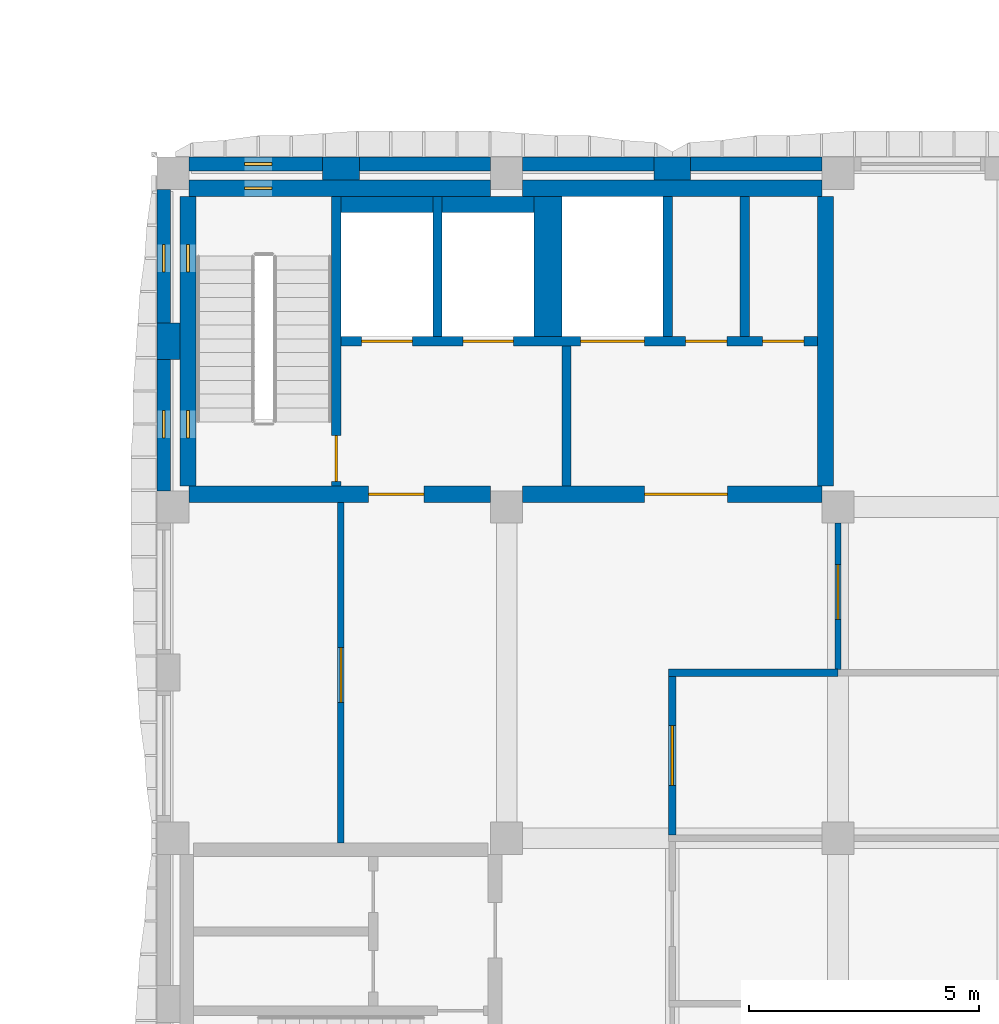
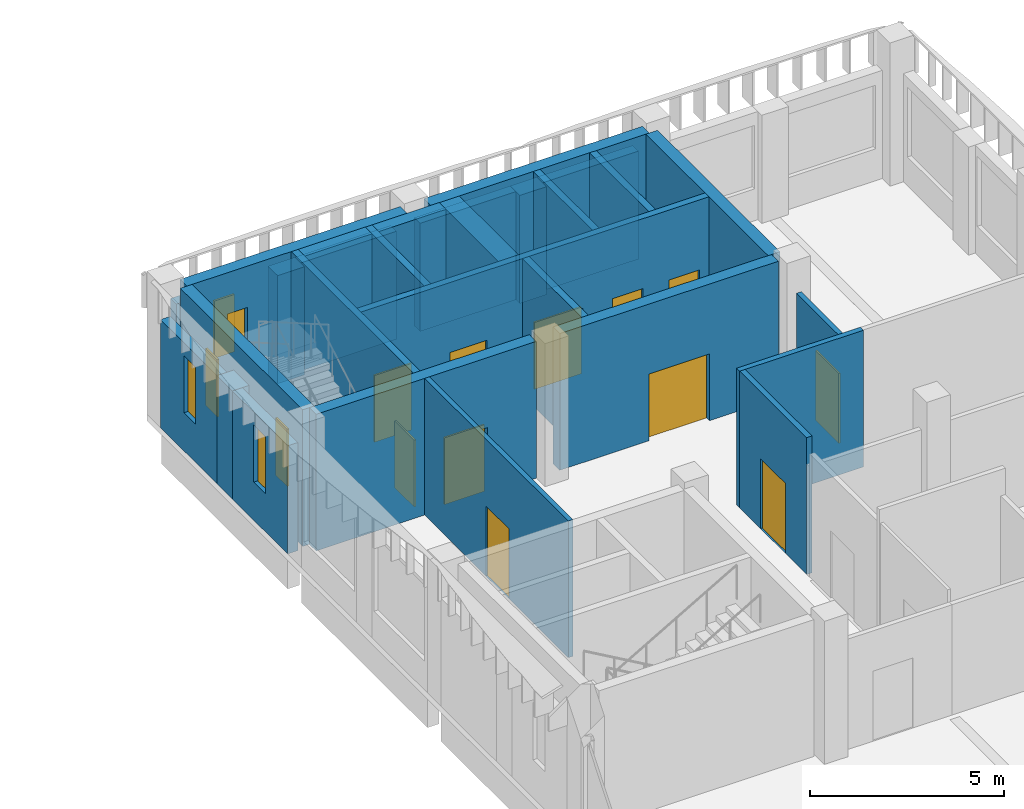
# One storey, part 11 of 38: 28 walls, 11 doors, 6 windows, 17 openings.
"""IFC4 building model written with IfcOpenShell, lengths in metres."""

from ifc_helpers import new_model, si_unit, direction, frame, frame_2d, origin, place, context, subcontext, project, spatial, rectangle, extrude, material, layer, layer_set, type_object, element, fill, save


model = new_model("IFC4")

# Units and contexts
model_context = context("Model", 3, precision=1e-05, world=origin(), true_north=direction((0.0, 1.0)))
body_context = subcontext(model_context, "Body", "Model", "MODEL_VIEW")
ifc_project = project(units=[si_unit("LENGTHUNIT", "METRE"), si_unit("AREAUNIT", "SQUARE_METRE"), si_unit("VOLUMEUNIT", "CUBIC_METRE"), si_unit("PLANEANGLEUNIT", "RADIAN"), si_unit("MASSUNIT", "GRAM", prefix="KILO")], contexts=[model_context])

# Site, building, storey
site_placement = place(None, origin())
site = spatial("IfcSite", under=ifc_project, at=site_placement, CompositionType="ELEMENT")
building_placement = place(site_placement, origin())
building = spatial("IfcBuilding", under=site, at=building_placement, Name="Ussher Court Research Institute", CompositionType="ELEMENT")
storey_placement = place(building_placement, frame((0.0, 0.0, 23.39990234375)))
storey = spatial("IfcBuildingStorey", under=building, at=storey_placement, Name="L05", CompositionType="ELEMENT", Elevation=23.39990234375)

# Wall, opening, window
ifc_material_1 = material(Name="Limestone facing on blockwork", Category="masonry")
ifc_layer_1 = layer(ifc_material_1, 0.300048828125)
ifc_layer_set_1 = layer_set([ifc_layer_1], Name="Limestone facing on blockwork")
wall_type_1 = type_object("IfcWallType", Name="External wall 300 stair enclosure", PredefinedType="SOLIDWALL", material=ifc_layer_set_1)
wall_1_placement = place(storey_placement, frame((82.5, 33.050048828125, 0.0), z_axis=(0.0, 0.0, 1.0), x_axis=(1.0, 0.0, 0.0)))
wall_1 = element("IfcWall", 1, at=wall_1_placement, inside=storey, type_object=wall_type_1, Name="External wall EW5 L05", PredefinedType="SOLIDWALL", context=body_context, shape_type="SweptSolid", body=[
    extrude(rectangle(XDim=2.89990234375, YDim=0.300048828125, at=frame_2d((1.449951171875, 0.0))), origin(), (0.0, 0.0, 1.0), 3.400146484375),
])
opening_1_placement = place(wall_1_placement, frame((1.199951171875, 0.0, 1.199951171875)))
opening_1 = element("IfcOpeningElement", 2, at=opening_1_placement, cuts=wall_1, Name="Opening W25", PredefinedType="OPENING", context=body_context, shape_type="SweptSolid", body=[
    extrude(rectangle(XDim=0.60009765625, YDim=1.800048828125, at=frame_2d((0.300048828125, 0.89990234375))), frame((0.0, 0.16015625, 0.0), z_axis=(0.0, -1.0, 0.0), x_axis=(1.0, 0.0, 0.0)), (0.0, 0.0, 1.0), 0.320068359375),
])
ifc_material_2 = material(Name="Bronze anodised aluminium with double glazing", Category="aluminium")
window_type = type_object("IfcWindowType", Name="Stair light slot window 600x1800 fire-resisting glazing", PartitioningType="SINGLE_PANEL", PredefinedType="WINDOW", material=ifc_material_2)
window_1_placement = place(opening_1_placement, origin())
window_1 = element("IfcWindow", 3, at=window_1_placement, inside=storey, type_object=window_type, Name="Window W25 L05", OverallHeight=1.800048828125, OverallWidth=0.60009765625, PartitioningType="SINGLE_PANEL", PredefinedType="WINDOW", context=body_context, shape_type="SweptSolid", body=[
    extrude(rectangle(XDim=0.60009765625, YDim=1.800048828125, at=frame_2d((0.300048828125, 0.89990234375))), frame((0.0, 0.030029296875, 0.0), z_axis=(0.0, -1.0, 0.0), x_axis=(1.0, 0.0, 0.0)), (0.0, 0.0, 1.0), 0.06005859375),
])
fill(opening_1, window_1)

# Walls
for number, where, z_axis, x_axis, name in (
    (4, (86.199951171875, 33.050048828125, 0.0), (0.0, 0.0, 1.0), (1.0, 0.0, 0.0), "External wall EW5 L05"),
    (5, (89.75, 33.050048828125, 0.0), (0.0, 0.0, 1.0), (1.0, 0.0, 0.0), "External wall EW5 L05"),
    (6, (93.39990234375, 33.050048828125, 0.0), (0.0, 0.0, 1.0), (1.0, 0.0, 0.0), "External wall EW5 L05"),
):
    element("IfcWall", number, at=place(storey_placement, frame(where, z_axis=z_axis, x_axis=x_axis)), inside=storey, type_object=wall_type_1, Name=name, PredefinedType="SOLIDWALL", context=body_context, shape_type="SweptSolid", body=[
        extrude(rectangle(XDim=2.85009765625, YDim=0.300048828125, at=frame_2d((1.425048828125, 0.0))), origin(), (0.0, 0.0, 1.0), 3.400146484375),
    ])

# Wall, opening, window
wall_2_placement = place(storey_placement, frame((81.949951171875, 25.949951171875, 0.0), z_axis=(0.0, 0.0, 1.0), x_axis=(0.0, 1.0, 0.0)))
wall_2 = element("IfcWall", 7, at=wall_2_placement, inside=storey, type_object=wall_type_1, Name="External wall EW5 L05", PredefinedType="SOLIDWALL", context=body_context, shape_type="SweptSolid", body=[
    extrude(rectangle(XDim=2.85009765625, YDim=0.300048828125, at=frame_2d((1.425048828125, 0.0))), origin(), (0.0, 0.0, 1.0), 3.400146484375),
])
opening_2_placement = place(wall_2_placement, frame((1.14990234375, 0.0, 1.199951171875)))
opening_2 = element("IfcOpeningElement", 8, at=opening_2_placement, cuts=wall_2, Name="Opening W25", PredefinedType="OPENING", context=body_context, shape_type="SweptSolid", body=[
    extrude(rectangle(XDim=0.60009765625, YDim=1.800048828125, at=frame_2d((0.300048828125, 0.89990234375))), frame((0.0, 0.16015625, 0.0), z_axis=(0.0, -1.0, 0.0), x_axis=(1.0, 0.0, 0.0)), (0.0, 0.0, 1.0), 0.320068359375),
])
window_2_placement = place(opening_2_placement, origin())
window_2 = element("IfcWindow", 9, at=window_2_placement, inside=storey, type_object=window_type, Name="Window W25 L05", OverallHeight=1.800048828125, OverallWidth=0.60009765625, PartitioningType="SINGLE_PANEL", PredefinedType="WINDOW", context=body_context, shape_type="SweptSolid", body=[
    extrude(rectangle(XDim=0.60009765625, YDim=1.800048828125, at=frame_2d((0.300048828125, 0.89990234375))), frame((0.0, 0.030029296875, 0.0), z_axis=(0.0, -1.0, 0.0), x_axis=(1.0, 0.0, 0.0)), (0.0, 0.0, 1.0), 0.06005859375),
])
fill(opening_2, window_2)

wall_3_placement = place(storey_placement, frame((81.949951171875, 29.60009765625, 0.0), z_axis=(0.0, 0.0, 1.0), x_axis=(0.0, 1.0, 0.0)))
wall_3 = element("IfcWall", 10, at=wall_3_placement, inside=storey, type_object=wall_type_1, Name="External wall EW5 L05", PredefinedType="SOLIDWALL", context=body_context, shape_type="SweptSolid", body=[
    extrude(rectangle(XDim=2.89990234375, YDim=0.300048828125, at=frame_2d((1.449951171875, 0.0))), origin(), (0.0, 0.0, 1.0), 3.400146484375),
])
opening_3_placement = place(wall_3_placement, frame((1.10009765625, 0.0, 1.199951171875)))
opening_3 = element("IfcOpeningElement", 11, at=opening_3_placement, cuts=wall_3, Name="Opening W25", PredefinedType="OPENING", context=body_context, shape_type="SweptSolid", body=[
    extrude(rectangle(XDim=0.60009765625, YDim=1.800048828125, at=frame_2d((0.300048828125, 0.89990234375))), frame((0.0, 0.16015625, 0.0), z_axis=(0.0, -1.0, 0.0), x_axis=(1.0, 0.0, 0.0)), (0.0, 0.0, 1.0), 0.320068359375),
])
window_3_placement = place(opening_3_placement, origin())
window_3 = element("IfcWindow", 12, at=window_3_placement, inside=storey, type_object=window_type, Name="Window W25 L05", OverallHeight=1.800048828125, OverallWidth=0.60009765625, PartitioningType="SINGLE_PANEL", PredefinedType="WINDOW", context=body_context, shape_type="SweptSolid", body=[
    extrude(rectangle(XDim=0.60009765625, YDim=1.800048828125, at=frame_2d((0.300048828125, 0.89990234375))), frame((0.0, 0.030029296875, 0.0), z_axis=(0.0, -1.0, 0.0), x_axis=(1.0, 0.0, 0.0)), (0.0, 0.0, 1.0), 0.06005859375),
])
fill(opening_3, window_3)

# Wall
ifc_material_3 = material(Name="Dense concrete blockwork", Category="masonry")
ifc_layer_2 = layer(ifc_material_3, 0.159912109375)
ifc_layer_set_2 = layer_set([ifc_layer_2], Name="Dense concrete blockwork")
wall_type_2 = type_object("IfcWallType", Name="Instrument room dense block partition 160", PredefinedType="PARTITIONING", material=ifc_layer_set_2)
wall_4_placement = place(storey_placement, frame((92.919921875, 22.0, 0.0), z_axis=(0.0, 0.0, 1.0), x_axis=(1.0, 0.0, 0.0)))
element("IfcWall", 13, at=wall_4_placement, inside=storey, type_object=wall_type_2, Name="Partition", PredefinedType="PARTITIONING", context=body_context, shape_type="SweptSolid", body=[
    extrude(rectangle(XDim=3.68017578125, YDim=0.159912109375, at=frame_2d((1.840087890625, 0.0))), origin(), (0.0, 0.0, 1.0), 4.300048828125),
])

# Wall, opening, door
wall_5_placement = place(storey_placement, frame((93.0, 21.919921875, 0.0), z_axis=(0.0, 0.0, 1.0), x_axis=(0.0, -1.0, 0.0)))
wall_5 = element("IfcWall", 14, at=wall_5_placement, inside=storey, type_object=wall_type_2, Name="Partition", PredefinedType="PARTITIONING", context=body_context, shape_type="SweptSolid", body=[
    extrude(rectangle(XDim=3.449951171875, YDim=0.159912109375, at=frame_2d((1.72509765625, 0.0))), origin(), (0.0, 0.0, 1.0), 4.300048828125),
])
opening_4_placement = place(wall_5_placement, frame((1.070068359375, 0.0, 0.0)))
opening_4 = element("IfcOpeningElement", 15, at=opening_4_placement, cuts=wall_5, Name="Opening D05036", PredefinedType="OPENING", context=body_context, shape_type="SweptSolid", body=[
    extrude(rectangle(XDim=1.300048828125, YDim=2.199951171875, at=frame_2d((0.64990234375, 1.10009765625))), frame((0.0, 0.08984375, 0.0), z_axis=(0.0, -1.0, 0.0), x_axis=(1.0, 0.0, 0.0)), (0.0, 0.0, 1.0), 0.179931640625),
])
ifc_material_4 = material(Name="Veneered timber door", Category="wood")
door_type_1 = type_object("IfcDoorType", Name="Instrument room door 1300x2200", OperationType="NOTDEFINED", PredefinedType="DOOR", material=ifc_material_4)
door_1_placement = place(opening_4_placement, origin())
door_1 = element("IfcDoor", 16, at=door_1_placement, inside=storey, type_object=door_type_1, Name="Door D05036", OperationType="SINGLE_SWING_LEFT", OverallHeight=2.199951171875, OverallWidth=1.300048828125, PredefinedType="DOOR", context=body_context, shape_type="SweptSolid", body=[
    extrude(rectangle(XDim=1.300048828125, YDim=2.199951171875, at=frame_2d((0.64990234375, 1.10009765625))), frame((0.0, 0.02490234375, 0.0), z_axis=(0.0, -1.0, 0.0), x_axis=(1.0, 0.0, 0.0)), (0.0, 0.0, 1.0), 0.050048828125),
])
fill(opening_4, door_1)

ifc_material_5 = material(Name="Plastered blockwork", Category="masonry")
ifc_layer_3 = layer(ifc_material_5, 0.139892578125)
ifc_layer_set_3 = layer_set([ifc_layer_3], Name="Plastered blockwork")
wall_type_3 = type_object("IfcWallType", Name="Laboratory blockwork partition 140", PredefinedType="PARTITIONING", material=ifc_layer_set_3)
wall_6_placement = place(storey_placement, frame((85.800048828125, 18.300048828125, 0.0), z_axis=(0.0, 0.0, 1.0), x_axis=(0.0, 1.0, 0.0)))
wall_6 = element("IfcWall", 17, at=wall_6_placement, inside=storey, type_object=wall_type_3, Name="Partition", PredefinedType="PARTITIONING", context=body_context, shape_type="SweptSolid", body=[
    extrude(rectangle(XDim=7.39990234375, YDim=0.139892578125, at=frame_2d((3.699951171875, 0.0))), origin(), (0.0, 0.0, 1.0), 4.300048828125),
])
opening_5_placement = place(wall_6_placement, frame((3.050048828125, 0.0, 0.0)))
opening_5 = element("IfcOpeningElement", 18, at=opening_5_placement, cuts=wall_6, Name="Opening D05027", PredefinedType="OPENING", context=body_context, shape_type="SweptSolid", body=[
    extrude(rectangle(XDim=1.199951171875, YDim=2.199951171875, at=frame_2d((0.60009765625, 1.10009765625))), frame((0.0, 0.080078125, 0.0), z_axis=(0.0, -1.0, 0.0), x_axis=(1.0, 0.0, 0.0)), (0.0, 0.0, 1.0), 0.159912109375),
])
ifc_material_6 = material(Name="Veneered timber door", Category="wood")
door_type_2 = type_object("IfcDoorType", Name="Containment laboratory door 1200x2200", OperationType="NOTDEFINED", PredefinedType="DOOR", material=ifc_material_6)
door_2_placement = place(opening_5_placement, origin())
door_2 = element("IfcDoor", 19, at=door_2_placement, inside=storey, type_object=door_type_2, Name="Door D05027", OperationType="SINGLE_SWING_LEFT", OverallHeight=2.199951171875, OverallWidth=1.199951171875, PredefinedType="DOOR", context=body_context, shape_type="SweptSolid", body=[
    extrude(rectangle(XDim=1.199951171875, YDim=2.199951171875, at=frame_2d((0.60009765625, 1.10009765625))), frame((0.0, 0.02490234375, 0.0), z_axis=(0.0, -1.0, 0.0), x_axis=(1.0, 0.0, 0.0)), (0.0, 0.0, 1.0), 0.050048828125),
])
fill(opening_5, door_2)

wall_7_placement = place(storey_placement, frame((96.60009765625, 25.25, 0.0), z_axis=(0.0, 0.0, 1.0), x_axis=(0.0, -1.0, 0.0)))
wall_7 = element("IfcWall", 20, at=wall_7_placement, inside=storey, type_object=wall_type_3, Name="Partition", PredefinedType="PARTITIONING", context=body_context, shape_type="SweptSolid", body=[
    extrude(rectangle(XDim=3.179931640625, YDim=0.139892578125, at=frame_2d((1.58984375, 0.0))), origin(), (0.0, 0.0, 1.0), 3.47021484375),
])
opening_6_placement = place(wall_7_placement, frame((0.89990234375, 0.0, 0.0)))
opening_6 = element("IfcOpeningElement", 21, at=opening_6_placement, cuts=wall_7, Name="Opening D05040", PredefinedType="OPENING", context=body_context, shape_type="SweptSolid", body=[
    extrude(rectangle(XDim=1.199951171875, YDim=2.199951171875, at=frame_2d((0.60009765625, 1.10009765625))), frame((0.0, 0.080078125, 0.0), z_axis=(0.0, -1.0, 0.0), x_axis=(1.0, 0.0, 0.0)), (0.0, 0.0, 1.0), 0.159912109375),
])
door_3_placement = place(opening_6_placement, origin())
door_3 = element("IfcDoor", 22, at=door_3_placement, inside=storey, type_object=door_type_2, Name="Door D05040", OperationType="SINGLE_SWING_LEFT", OverallHeight=2.199951171875, OverallWidth=1.199951171875, PredefinedType="DOOR", context=body_context, shape_type="SweptSolid", body=[
    extrude(rectangle(XDim=1.199951171875, YDim=2.199951171875, at=frame_2d((0.60009765625, 1.10009765625))), frame((0.0, 0.02490234375, 0.0), z_axis=(0.0, -1.0, 0.0), x_axis=(1.0, 0.0, 0.0)), (0.0, 0.0, 1.0), 0.050048828125),
])
fill(opening_6, door_3)

# Walls
ifc_material_7 = material(Name="Blockwork with cream render", Category="masonry")
ifc_layer_4 = layer(ifc_material_7, 0.5)
ifc_layer_set_4 = layer_set([ifc_layer_4], Name="Blockwork with cream render")
wall_type_4 = type_object("IfcWallType", Name="Pier 800x500 cream render", PredefinedType="SOLIDWALL", material=ifc_layer_set_4)
wall_8_placement = place(storey_placement, frame((85.39990234375, 32.949951171875, 0.0), z_axis=(0.0, 0.0, 1.0), x_axis=(1.0, 0.0, 0.0)))
element("IfcWall", 23, at=wall_8_placement, inside=storey, type_object=wall_type_4, Name="Pier PR1 L05", PredefinedType="SOLIDWALL", context=body_context, shape_type="SweptSolid", body=[
    extrude(rectangle(XDim=0.800048828125, YDim=0.5, at=frame_2d((0.39990234375, 0.0))), origin(), (0.0, 0.0, 1.0), 3.400146484375),
])
wall_9_placement = place(storey_placement, frame((92.60009765625, 32.949951171875, 0.0), z_axis=(0.0, 0.0, 1.0), x_axis=(1.0, 0.0, 0.0)))
element("IfcWall", 24, at=wall_9_placement, inside=storey, type_object=wall_type_4, Name="Pier PR1 L05", PredefinedType="SOLIDWALL", context=body_context, shape_type="SweptSolid", body=[
    extrude(rectangle(XDim=0.7998046875, YDim=0.5, at=frame_2d((0.39990234375, 0.0))), origin(), (0.0, 0.0, 1.0), 3.400146484375),
])
wall_10_placement = place(storey_placement, frame((82.050048828125, 28.800048828125, 0.0), z_axis=(0.0, 0.0, 1.0), x_axis=(0.0, 1.0, 0.0)))
element("IfcWall", 25, at=wall_10_placement, inside=storey, type_object=wall_type_4, Name="Pier PR1 L05", PredefinedType="SOLIDWALL", context=body_context, shape_type="SweptSolid", body=[
    extrude(rectangle(XDim=0.800048828125, YDim=0.5, at=frame_2d((0.39990234375, 0.0))), origin(), (0.0, 0.0, 1.0), 3.400146484375),
])

# Wall, opening, door
ifc_material_8 = material(Name="Concrete C35/45", Category="concrete")
ifc_layer_5 = layer(ifc_material_8, 0.199951171875)
ifc_layer_set_5 = layer_set([ifc_layer_5], Name="Concrete C35/45")
wall_type_5 = type_object("IfcWallType", Name="RC core wall 200", PredefinedType="SHEAR", material=ifc_layer_set_5)
wall_11_placement = place(storey_placement, frame((85.699951171875, 26.050048828125, 0.0), z_axis=(0.0, 0.0, 1.0), x_axis=(0.0, 1.0, 0.0)))
wall_11 = element("IfcWall", 26, at=wall_11_placement, inside=storey, type_object=wall_type_5, Name="Core wall T1", PredefinedType="SHEAR", context=body_context, shape_type="SweptSolid", body=[
    extrude(rectangle(XDim=6.300048828125, YDim=0.199951171875, at=frame_2d((3.14990234375, 0.0))), origin(), (0.0, 0.0, 1.0), 4.300048828125),
])
opening_7_placement = place(wall_11_placement, frame((0.10009765625, 0.0, 0.0)))
opening_7 = element("IfcOpeningElement", 27, at=opening_7_placement, cuts=wall_11, Name="Opening D05026", PredefinedType="OPENING", context=body_context, shape_type="SweptSolid", body=[
    extrude(rectangle(XDim=1.0, YDim=2.10009765625, at=frame_2d((0.5, 1.050048828125))), frame((0.0, 0.10986328125, 0.0), z_axis=(0.0, -1.0, 0.0), x_axis=(1.0, 0.0, 0.0)), (0.0, 0.0, 1.0), 0.219970703125),
])
ifc_material_9 = material(Name="Painted steel faced fire door", Category="steel")
door_type_3 = type_object("IfcDoorType", Name="Fire door 1000x2100 FD60", OperationType="NOTDEFINED", PredefinedType="DOOR", material=ifc_material_9)
door_4_placement = place(opening_7_placement, origin())
door_4 = element("IfcDoor", 28, at=door_4_placement, inside=storey, type_object=door_type_3, Name="Door D05026", OperationType="SINGLE_SWING_LEFT", OverallHeight=2.10009765625, OverallWidth=1.0, PredefinedType="DOOR", context=body_context, shape_type="SweptSolid", body=[
    extrude(rectangle(XDim=1.0, YDim=2.10009765625, at=frame_2d((0.5, 1.050048828125))), frame((0.0, 0.02490234375, 0.0), z_axis=(0.0, -1.0, 0.0), x_axis=(1.0, 0.0, 0.0)), (0.0, 0.0, 1.0), 0.050048828125),
])
fill(opening_7, door_4)

# Wall
wall_12_placement = place(storey_placement, frame((90.699951171875, 26.050048828125, 0.0), z_axis=(0.0, 0.0, 1.0), x_axis=(0.0, 1.0, 0.0)))
element("IfcWall", 29, at=wall_12_placement, inside=storey, type_object=wall_type_5, Name="Core wall T1", PredefinedType="SHEAR", context=body_context, shape_type="SweptSolid", body=[
    extrude(rectangle(XDim=3.050048828125, YDim=0.199951171875, at=frame_2d((1.52490234375, 0.0))), origin(), (0.0, 0.0, 1.0), 4.300048828125),
])

# Wall, openings, doors
wall_13_placement = place(storey_placement, frame((96.14990234375, 29.199951171875, 0.0), z_axis=(0.0, 0.0, 1.0), x_axis=(-1.0, 0.0, 0.0)))
wall_13 = element("IfcWall", 30, at=wall_13_placement, inside=storey, type_object=wall_type_5, Name="Core wall T1", PredefinedType="SHEAR", context=body_context, shape_type="SweptSolid", body=[
    extrude(rectangle(XDim=10.349853515625, YDim=0.199951171875, at=frame_2d((5.1748046875, 0.0))), origin(), (0.0, 0.0, 1.0), 4.300048828125),
])
opening_8_placement = place(wall_13_placement, frame((8.800048828125, 0.0, 0.0)))
opening_8 = element("IfcOpeningElement", 31, at=opening_8_placement, cuts=wall_13, Name="Opening LD61", PredefinedType="OPENING", context=body_context, shape_type="SweptSolid", body=[
    extrude(rectangle(XDim=1.10009765625, YDim=2.10009765625, at=frame_2d((0.550048828125, 1.050048828125))), frame((0.0, 0.10986328125, 0.0), z_axis=(0.0, -1.0, 0.0), x_axis=(1.0, 0.0, 0.0)), (0.0, 0.0, 1.0), 0.219970703125),
])
opening_9_placement = place(wall_13_placement, frame((6.60009765625, 0.0, 0.0)))
opening_9 = element("IfcOpeningElement", 32, at=opening_9_placement, cuts=wall_13, Name="Opening LD62", PredefinedType="OPENING", context=body_context, shape_type="SweptSolid", body=[
    extrude(rectangle(XDim=1.10009765625, YDim=2.10009765625, at=frame_2d((0.550048828125, 1.050048828125))), frame((0.0, 0.10986328125, 0.0), z_axis=(0.0, -1.0, 0.0), x_axis=(1.0, 0.0, 0.0)), (0.0, 0.0, 1.0), 0.219970703125),
])
opening_10_placement = place(wall_13_placement, frame((3.75, 0.0, 0.0)))
opening_10 = element("IfcOpeningElement", 33, at=opening_10_placement, cuts=wall_13, Name="Opening LD63", PredefinedType="OPENING", context=body_context, shape_type="SweptSolid", body=[
    extrude(rectangle(XDim=1.39990234375, YDim=2.10009765625, at=frame_2d((0.699951171875, 1.050048828125))), frame((0.0, 0.10986328125, 0.0), z_axis=(0.0, -1.0, 0.0), x_axis=(1.0, 0.0, 0.0)), (0.0, 0.0, 1.0), 0.219970703125),
])
opening_11_placement = place(wall_13_placement, frame((1.96240234375, 0.0, 0.0)))
opening_11 = element("IfcOpeningElement", 34, at=opening_11_placement, cuts=wall_13, Name="Opening D05038", PredefinedType="OPENING", context=body_context, shape_type="SweptSolid", body=[
    extrude(rectangle(XDim=0.89990234375, YDim=2.10009765625, at=frame_2d((0.449951171875, 1.050048828125))), frame((0.0, 0.10986328125, 0.0), z_axis=(0.0, -1.0, 0.0), x_axis=(1.0, 0.0, 0.0)), (0.0, 0.0, 1.0), 0.219970703125),
])
opening_12_placement = place(wall_13_placement, frame((0.28759765625, 0.0, 0.0)))
opening_12 = element("IfcOpeningElement", 35, at=opening_12_placement, cuts=wall_13, Name="Opening D05039", PredefinedType="OPENING", context=body_context, shape_type="SweptSolid", body=[
    extrude(rectangle(XDim=0.89990234375, YDim=2.10009765625, at=frame_2d((0.449951171875, 1.050048828125))), frame((0.0, 0.10986328125, 0.0), z_axis=(0.0, -1.0, 0.0), x_axis=(1.0, 0.0, 0.0)), (0.0, 0.0, 1.0), 0.219970703125),
])
ifc_material_10 = material(Name="Painted steel faced fire door", Category="steel")
door_type_4 = type_object("IfcDoorType", Name="Fire door 900x2100 FD60", OperationType="NOTDEFINED", PredefinedType="DOOR", material=ifc_material_10)
door_5_placement = place(opening_11_placement, origin())
door_5 = element("IfcDoor", 36, at=door_5_placement, inside=storey, type_object=door_type_4, Name="Door D05038", OperationType="SINGLE_SWING_LEFT", OverallHeight=2.10009765625, OverallWidth=0.89990234375, PredefinedType="DOOR", context=body_context, shape_type="SweptSolid", body=[
    extrude(rectangle(XDim=0.89990234375, YDim=2.10009765625, at=frame_2d((0.449951171875, 1.050048828125))), frame((0.0, 0.02490234375, 0.0), z_axis=(0.0, -1.0, 0.0), x_axis=(1.0, 0.0, 0.0)), (0.0, 0.0, 1.0), 0.050048828125),
])
fill(opening_11, door_5)
door_6_placement = place(opening_12_placement, origin())
door_6 = element("IfcDoor", 37, at=door_6_placement, inside=storey, type_object=door_type_4, Name="Door D05039", OperationType="SINGLE_SWING_LEFT", OverallHeight=2.10009765625, OverallWidth=0.89990234375, PredefinedType="DOOR", context=body_context, shape_type="SweptSolid", body=[
    extrude(rectangle(XDim=0.89990234375, YDim=2.10009765625, at=frame_2d((0.449951171875, 1.050048828125))), frame((0.0, 0.02490234375, 0.0), z_axis=(0.0, -1.0, 0.0), x_axis=(1.0, 0.0, 0.0)), (0.0, 0.0, 1.0), 0.050048828125),
])
fill(opening_12, door_6)
ifc_material_11 = material(Name="Stainless steel lift door", Category="steel")
door_type_5 = type_object("IfcDoorType", Name="Lift landing door 1100x2100 sliding", OperationType="DOUBLE_DOOR_SLIDING", PredefinedType="DOOR", material=ifc_material_11)
door_7_placement = place(opening_8_placement, origin())
door_7 = element("IfcDoor", 38, at=door_7_placement, inside=storey, type_object=door_type_5, Name="Landing door T1-1 L05", OperationType="DOUBLE_DOOR_SLIDING", OverallHeight=2.10009765625, OverallWidth=1.10009765625, PredefinedType="DOOR", context=body_context, shape_type="SweptSolid", body=[
    extrude(rectangle(XDim=1.10009765625, YDim=2.10009765625, at=frame_2d((0.550048828125, 1.050048828125))), frame((0.0, 0.02490234375, 0.0), z_axis=(0.0, -1.0, 0.0), x_axis=(1.0, 0.0, 0.0)), (0.0, 0.0, 1.0), 0.050048828125),
])
fill(opening_8, door_7)
door_8_placement = place(opening_9_placement, origin())
door_8 = element("IfcDoor", 39, at=door_8_placement, inside=storey, type_object=door_type_5, Name="Landing door T1-2 L05", OperationType="DOUBLE_DOOR_SLIDING", OverallHeight=2.10009765625, OverallWidth=1.10009765625, PredefinedType="DOOR", context=body_context, shape_type="SweptSolid", body=[
    extrude(rectangle(XDim=1.10009765625, YDim=2.10009765625, at=frame_2d((0.550048828125, 1.050048828125))), frame((0.0, 0.02490234375, 0.0), z_axis=(0.0, -1.0, 0.0), x_axis=(1.0, 0.0, 0.0)), (0.0, 0.0, 1.0), 0.050048828125),
])
fill(opening_9, door_8)
ifc_material_12 = material(Name="Stainless steel lift door", Category="steel")
door_type_6 = type_object("IfcDoorType", Name="Lift landing door 1400x2100 sliding", OperationType="DOUBLE_DOOR_SLIDING", PredefinedType="DOOR", material=ifc_material_12)
door_9_placement = place(opening_10_placement, origin())
door_9 = element("IfcDoor", 40, at=door_9_placement, inside=storey, type_object=door_type_6, Name="Landing door T1-3 L05", OperationType="DOUBLE_DOOR_SLIDING", OverallHeight=2.10009765625, OverallWidth=1.39990234375, PredefinedType="DOOR", context=body_context, shape_type="SweptSolid", body=[
    extrude(rectangle(XDim=1.39990234375, YDim=2.10009765625, at=frame_2d((0.699951171875, 1.050048828125))), frame((0.0, 0.02490234375, 0.0), z_axis=(0.0, -1.0, 0.0), x_axis=(1.0, 0.0, 0.0)), (0.0, 0.0, 1.0), 0.050048828125),
])
fill(opening_10, door_9)

# Walls
for number, where, z_axis, x_axis, name in (
    (41, (87.89990234375, 29.300048828125, 0.0), (0.0, 0.0, 1.0), (0.0, 1.0, 0.0), "Core wall T1"),
    (42, (92.89990234375, 29.300048828125, 0.0), (0.0, 0.0, 1.0), (0.0, 1.0, 0.0), "Core wall T1"),
    (43, (94.574951171875, 29.300048828125, 0.0), (0.0, 0.0, 1.0), (0.0, 1.0, 0.0), "Core wall T1"),
):
    element("IfcWall", number, at=place(storey_placement, frame(where, z_axis=z_axis, x_axis=x_axis)), inside=storey, type_object=wall_type_5, Name=name, PredefinedType="SHEAR", context=body_context, shape_type="SweptSolid", body=[
        extrude(rectangle(XDim=3.050048828125, YDim=0.199951171875, at=frame_2d((1.52490234375, 0.0))), origin(), (0.0, 0.0, 1.0), 4.300048828125),
    ])

# Wall, opening, door
ifc_material_13 = material(Name="Concrete C35/45", Category="concrete")
ifc_layer_6 = layer(ifc_material_13, 0.35009765625)
ifc_layer_set_6 = layer_set([ifc_layer_6], Name="Concrete C35/45")
wall_type_6 = type_object("IfcWallType", Name="RC core wall 350", PredefinedType="SHEAR", material=ifc_layer_set_6)
wall_14_placement = place(storey_placement, frame((82.5, 25.875, 0.0), z_axis=(0.0, 0.0, 1.0), x_axis=(1.0, 0.0, 0.0)))
wall_14 = element("IfcWall", 44, at=wall_14_placement, inside=storey, type_object=wall_type_6, Name="Core wall T1", PredefinedType="SHEAR", context=body_context, shape_type="SweptSolid", body=[
    extrude(rectangle(XDim=6.550048828125, YDim=0.35009765625, at=frame_2d((3.27490234375, 0.0))), origin(), (0.0, 0.0, 1.0), 4.300048828125),
])
opening_13_placement = place(wall_14_placement, frame((3.89990234375, 0.0, 0.0)))
opening_13 = element("IfcOpeningElement", 45, at=opening_13_placement, cuts=wall_14, Name="Opening D05030", PredefinedType="OPENING", context=body_context, shape_type="SweptSolid", body=[
    extrude(rectangle(XDim=1.199951171875, YDim=2.10009765625, at=frame_2d((0.60009765625, 1.050048828125))), frame((0.0, 0.18505859375, 0.0), z_axis=(0.0, -1.0, 0.0), x_axis=(1.0, 0.0, 0.0)), (0.0, 0.0, 1.0), 0.3701171875),
])
ifc_material_14 = material(Name="Painted steel faced fire door", Category="steel")
door_type_7 = type_object("IfcDoorType", Name="Fire door 1200x2100 FD60", OperationType="NOTDEFINED", PredefinedType="DOOR", material=ifc_material_14)
door_10_placement = place(opening_13_placement, origin())
door_10 = element("IfcDoor", 46, at=door_10_placement, inside=storey, type_object=door_type_7, Name="Door D05030", OperationType="SINGLE_SWING_RIGHT", OverallHeight=2.10009765625, OverallWidth=1.199951171875, PredefinedType="DOOR", context=body_context, shape_type="SweptSolid", body=[
    extrude(rectangle(XDim=1.199951171875, YDim=2.10009765625, at=frame_2d((0.60009765625, 1.050048828125))), frame((0.0, 0.02490234375, 0.0), z_axis=(0.0, -1.0, 0.0), x_axis=(1.0, 0.0, 0.0)), (0.0, 0.0, 1.0), 0.050048828125),
])
fill(opening_13, door_10)

wall_15_placement = place(storey_placement, frame((89.75, 25.875, 0.0), z_axis=(0.0, 0.0, 1.0), x_axis=(1.0, 0.0, 0.0)))
wall_15 = element("IfcWall", 47, at=wall_15_placement, inside=storey, type_object=wall_type_6, Name="Core wall T1", PredefinedType="SHEAR", context=body_context, shape_type="SweptSolid", body=[
    extrude(rectangle(XDim=6.5, YDim=0.35009765625, at=frame_2d((3.25, 0.0))), origin(), (0.0, 0.0, 1.0), 4.300048828125),
])
opening_14_placement = place(wall_15_placement, frame((2.64990234375, 0.0, 0.0)))
opening_14 = element("IfcOpeningElement", 48, at=opening_14_placement, cuts=wall_15, Name="Opening D05037", PredefinedType="OPENING", context=body_context, shape_type="SweptSolid", body=[
    extrude(rectangle(XDim=1.800048828125, YDim=2.10009765625, at=frame_2d((0.89990234375, 1.050048828125))), frame((0.0, 0.18505859375, 0.0), z_axis=(0.0, -1.0, 0.0), x_axis=(1.0, 0.0, 0.0)), (0.0, 0.0, 1.0), 0.3701171875),
])
ifc_material_15 = material(Name="Painted steel faced fire door", Category="steel")
door_type_8 = type_object("IfcDoorType", Name="Fire door 1800x2100 FD60 double leaf", OperationType="DOUBLE_DOOR_SINGLE_SWING", PredefinedType="DOOR", material=ifc_material_15)
door_11_placement = place(opening_14_placement, origin())
door_11 = element("IfcDoor", 49, at=door_11_placement, inside=storey, type_object=door_type_8, Name="Door D05037", OperationType="SINGLE_SWING_LEFT", OverallHeight=2.10009765625, OverallWidth=1.800048828125, PredefinedType="DOOR", context=body_context, shape_type="SweptSolid", body=[
    extrude(rectangle(XDim=1.800048828125, YDim=2.10009765625, at=frame_2d((0.89990234375, 1.050048828125))), frame((0.0, 0.02490234375, 0.0), z_axis=(0.0, -1.0, 0.0), x_axis=(1.0, 0.0, 0.0)), (0.0, 0.0, 1.0), 0.050048828125),
])
fill(opening_14, door_11)

# Wall, opening, window
wall_16_placement = place(storey_placement, frame((82.5, 32.52490234375, 0.0), z_axis=(0.0, 0.0, 1.0), x_axis=(1.0, 0.0, 0.0)))
wall_16 = element("IfcWall", 50, at=wall_16_placement, inside=storey, type_object=wall_type_6, Name="Core wall T1", PredefinedType="SHEAR", context=body_context, shape_type="SweptSolid", body=[
    extrude(rectangle(XDim=6.550048828125, YDim=0.35009765625, at=frame_2d((3.27490234375, 0.0))), origin(), (0.0, 0.0, 1.0), 4.300048828125),
])
opening_15_placement = place(wall_16_placement, frame((1.199951171875, 0.0, 1.199951171875)))
opening_15 = element("IfcOpeningElement", 51, at=opening_15_placement, cuts=wall_16, Name="Opening W25", PredefinedType="OPENING", context=body_context, shape_type="SweptSolid", body=[
    extrude(rectangle(XDim=0.60009765625, YDim=1.800048828125, at=frame_2d((0.300048828125, 0.89990234375))), frame((0.0, 0.18505859375, 0.0), z_axis=(0.0, -1.0, 0.0), x_axis=(1.0, 0.0, 0.0)), (0.0, 0.0, 1.0), 0.3701171875),
])
window_4_placement = place(opening_15_placement, origin())
window_4 = element("IfcWindow", 52, at=window_4_placement, inside=storey, type_object=window_type, Name="Window stair light T1 L05", OverallHeight=1.800048828125, OverallWidth=0.60009765625, PartitioningType="SINGLE_PANEL", PredefinedType="WINDOW", context=body_context, shape_type="SweptSolid", body=[
    extrude(rectangle(XDim=0.60009765625, YDim=1.800048828125, at=frame_2d((0.300048828125, 0.89990234375))), frame((0.0, 0.030029296875, 0.0), z_axis=(0.0, -1.0, 0.0), x_axis=(1.0, 0.0, 0.0)), (0.0, 0.0, 1.0), 0.06005859375),
])
fill(opening_15, window_4)

# Wall
wall_17_placement = place(storey_placement, frame((89.75, 32.52490234375, 0.0), z_axis=(0.0, 0.0, 1.0), x_axis=(1.0, 0.0, 0.0)))
element("IfcWall", 53, at=wall_17_placement, inside=storey, type_object=wall_type_6, Name="Core wall T1", PredefinedType="SHEAR", context=body_context, shape_type="SweptSolid", body=[
    extrude(rectangle(XDim=6.5, YDim=0.35009765625, at=frame_2d((3.25, 0.0))), origin(), (0.0, 0.0, 1.0), 4.300048828125),
])

# Wall, openings, windows
wall_18_placement = place(storey_placement, frame((82.47509765625, 26.050048828125, 0.0), z_axis=(0.0, 0.0, 1.0), x_axis=(0.0, 1.0, 0.0)))
wall_18 = element("IfcWall", 54, at=wall_18_placement, inside=storey, type_object=wall_type_6, Name="Core wall T1", PredefinedType="SHEAR", context=body_context, shape_type="SweptSolid", body=[
    extrude(rectangle(XDim=6.300048828125, YDim=0.35009765625, at=frame_2d((3.14990234375, 0.0))), origin(), (0.0, 0.0, 1.0), 4.300048828125),
])
opening_16_placement = place(wall_18_placement, frame((1.050048828125, 0.0, 1.199951171875)))
opening_16 = element("IfcOpeningElement", 55, at=opening_16_placement, cuts=wall_18, Name="Opening W25", PredefinedType="OPENING", context=body_context, shape_type="SweptSolid", body=[
    extrude(rectangle(XDim=0.60009765625, YDim=1.800048828125, at=frame_2d((0.300048828125, 0.89990234375))), frame((0.0, 0.18505859375, 0.0), z_axis=(0.0, -1.0, 0.0), x_axis=(1.0, 0.0, 0.0)), (0.0, 0.0, 1.0), 0.3701171875),
])
opening_17_placement = place(wall_18_placement, frame((4.64990234375, 0.0, 1.199951171875)))
opening_17 = element("IfcOpeningElement", 56, at=opening_17_placement, cuts=wall_18, Name="Opening W25", PredefinedType="OPENING", context=body_context, shape_type="SweptSolid", body=[
    extrude(rectangle(XDim=0.60009765625, YDim=1.800048828125, at=frame_2d((0.300048828125, 0.89990234375))), frame((0.0, 0.18505859375, 0.0), z_axis=(0.0, -1.0, 0.0), x_axis=(1.0, 0.0, 0.0)), (0.0, 0.0, 1.0), 0.3701171875),
])
window_5_placement = place(opening_16_placement, origin())
window_5 = element("IfcWindow", 57, at=window_5_placement, inside=storey, type_object=window_type, Name="Window stair light T1 L05", OverallHeight=1.800048828125, OverallWidth=0.60009765625, PartitioningType="SINGLE_PANEL", PredefinedType="WINDOW", context=body_context, shape_type="SweptSolid", body=[
    extrude(rectangle(XDim=0.60009765625, YDim=1.800048828125, at=frame_2d((0.300048828125, 0.89990234375))), frame((0.0, 0.030029296875, 0.0), z_axis=(0.0, -1.0, 0.0), x_axis=(1.0, 0.0, 0.0)), (0.0, 0.0, 1.0), 0.06005859375),
])
fill(opening_16, window_5)
window_6_placement = place(opening_17_placement, origin())
window_6 = element("IfcWindow", 58, at=window_6_placement, inside=storey, type_object=window_type, Name="Window stair light T1 L05", OverallHeight=1.800048828125, OverallWidth=0.60009765625, PartitioningType="SINGLE_PANEL", PredefinedType="WINDOW", context=body_context, shape_type="SweptSolid", body=[
    extrude(rectangle(XDim=0.60009765625, YDim=1.800048828125, at=frame_2d((0.300048828125, 0.89990234375))), frame((0.0, 0.030029296875, 0.0), z_axis=(0.0, -1.0, 0.0), x_axis=(1.0, 0.0, 0.0)), (0.0, 0.0, 1.0), 0.06005859375),
])
fill(opening_17, window_6)

# Walls
wall_19_placement = place(storey_placement, frame((96.324951171875, 26.050048828125, 0.0), z_axis=(0.0, 0.0, 1.0), x_axis=(0.0, 1.0, 0.0)))
element("IfcWall", 59, at=wall_19_placement, inside=storey, type_object=wall_type_6, Name="Core wall T1", PredefinedType="SHEAR", context=body_context, shape_type="SweptSolid", body=[
    extrude(rectangle(XDim=6.300048828125, YDim=0.35009765625, at=frame_2d((3.14990234375, 0.0))), origin(), (0.0, 0.0, 1.0), 4.300048828125),
])
for number, where, z_axis, x_axis, name in (
    (60, (85.800048828125, 32.175048828125, 0.0), (0.0, 0.0, 1.0), (1.0, 0.0, 0.0), "Core wall T1"),
    (61, (88.0, 32.175048828125, 0.0), (0.0, 0.0, 1.0), (1.0, 0.0, 0.0), "Core wall T1"),
):
    element("IfcWall", number, at=place(storey_placement, frame(where, z_axis=z_axis, x_axis=x_axis)), inside=storey, type_object=wall_type_6, Name=name, PredefinedType="SHEAR", context=body_context, shape_type="SweptSolid", body=[
        extrude(rectangle(XDim=2.0, YDim=0.35009765625, at=frame_2d((1.0, 0.0))), origin(), (0.0, 0.0, 1.0), 4.300048828125),
    ])
ifc_material_16 = material(Name="Concrete C35/45", Category="concrete")
ifc_layer_7 = layer(ifc_material_16, 0.60009765625)
ifc_layer_set_7 = layer_set([ifc_layer_7], Name="Concrete C35/45")
wall_type_7 = type_object("IfcWallType", Name="RC core wall 600", PredefinedType="SHEAR", material=ifc_layer_set_7)
wall_20_placement = place(storey_placement, frame((90.300048828125, 29.300048828125, 0.0), z_axis=(0.0, 0.0, 1.0), x_axis=(0.0, 1.0, 0.0)))
element("IfcWall", 62, at=wall_20_placement, inside=storey, type_object=wall_type_7, Name="Core wall T1", PredefinedType="SHEAR", context=body_context, shape_type="SweptSolid", body=[
    extrude(rectangle(XDim=3.050048828125, YDim=0.60009765625, at=frame_2d((1.52490234375, 0.0))), origin(), (0.0, 0.0, 1.0), 4.300048828125),
])

save(model, "model.ifc")
